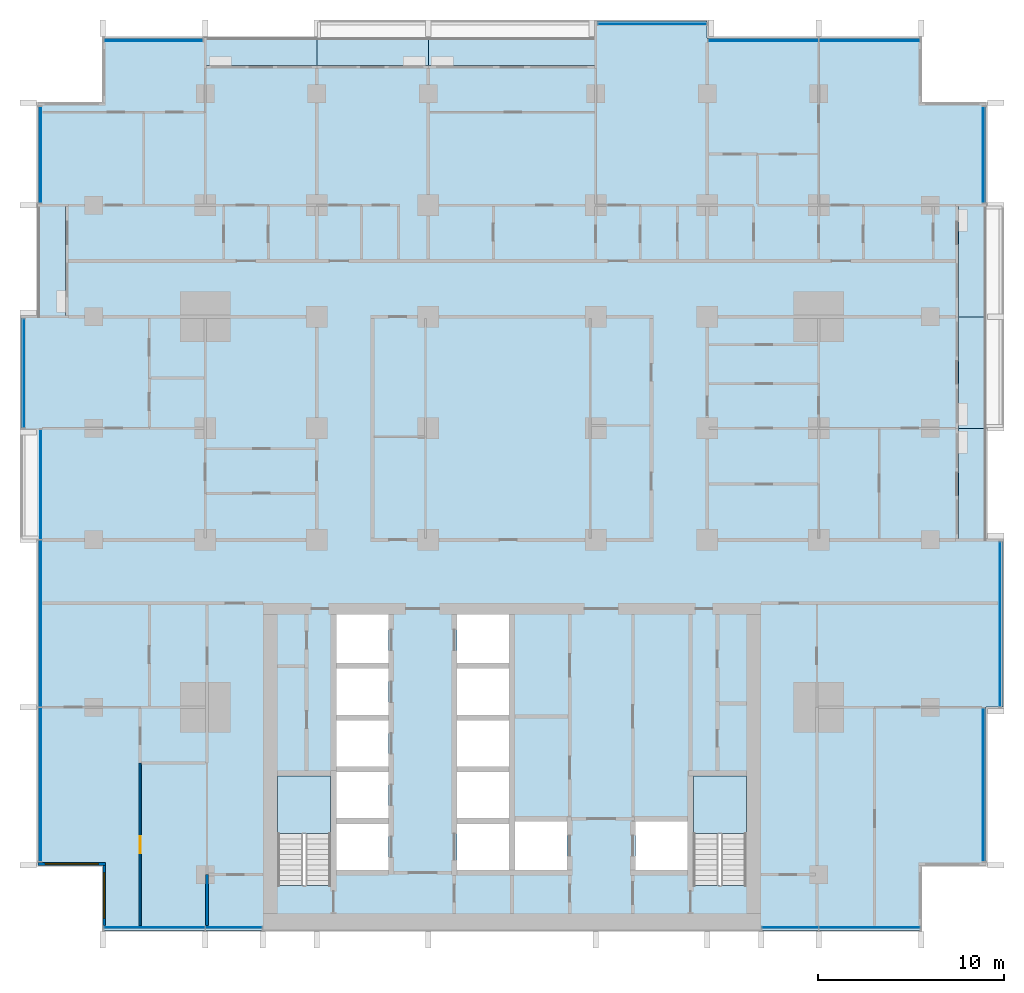
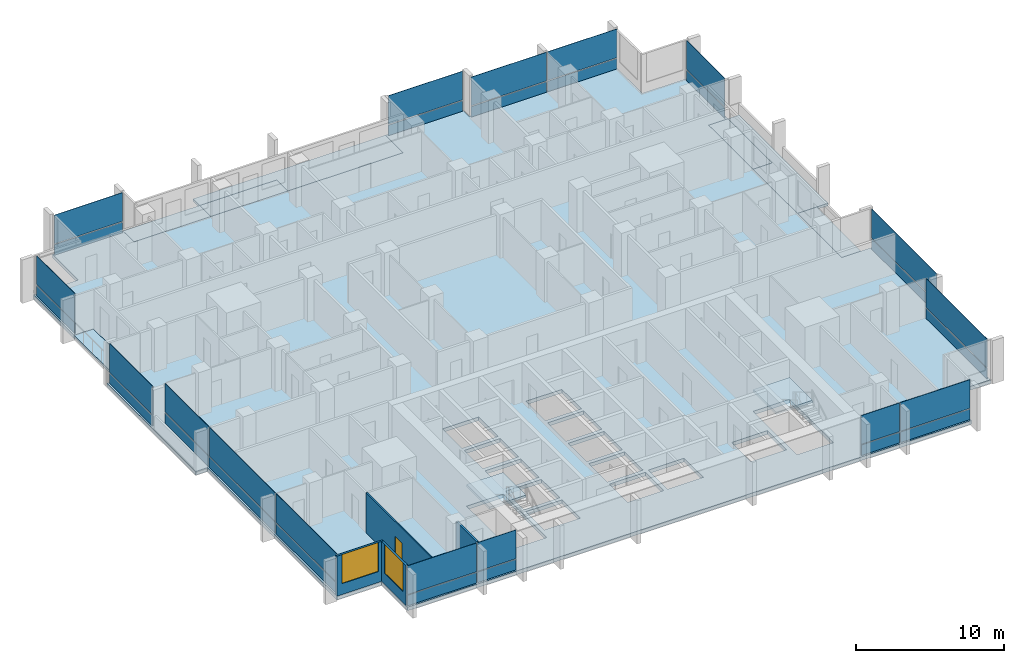
# One storey, part 6 of 18: 32 plates, 10 slabs, 4 walls, 2 windows, 1 door, 3 openings, 13 elements without a shape of their own.
"""IFC4 building model written with IfcOpenShell, lengths in metres."""

from ifc_helpers import new_model, si_unit, direction, frame, frame_2d, origin, origin_2d, place, context, subcontext, project, spatial, polyline, rectangle, outline, extrude, material, layer, layer_set, type_object, element, fill, aggregate, save


model = new_model("IFC4")

# Units and contexts
model_context = context("Model", 3, precision=1e-05, world=origin(), true_north=direction((0.0, 1.0)))
body_context = subcontext(model_context, "Body", "Model", "MODEL_VIEW")
ifc_project = project(units=[si_unit("LENGTHUNIT", "METRE"), si_unit("AREAUNIT", "SQUARE_METRE"), si_unit("VOLUMEUNIT", "CUBIC_METRE"), si_unit("PLANEANGLEUNIT", "RADIAN"), si_unit("MASSUNIT", "GRAM", prefix="KILO")], contexts=[model_context])

# Site, building, storey
site_placement = place(None, origin())
site = spatial("IfcSite", under=ifc_project, at=site_placement, CompositionType="ELEMENT")
building_placement = place(site_placement, origin())
building = spatial("IfcBuilding", under=site, at=building_placement, Name="Finial Court Residences", CompositionType="ELEMENT")
storey_placement = place(building_placement, frame((0.0, 0.0, 109.89990234375)))
storey = spatial("IfcBuildingStorey", under=building, at=storey_placement, Name="L27", CompositionType="ELEMENT", Elevation=109.89990234375)

# Slabs
ifc_material_1 = material(Name="Concrete C35/45", Category="concrete")
ifc_layer_1 = layer(ifc_material_1, 0.199951171875)
ifc_layer_set_1 = layer_set([ifc_layer_1], Name="Balcony slab, Concrete C35/45 200")
slab_type_1 = type_object("IfcSlabType", Name="Balcony slab, Concrete C35/45 200", PredefinedType="FLOOR", material=ifc_layer_set_1)
slab_1_placement = place(storey_placement, frame((0.0, 0.0, -0.199951171875)))
element("IfcSlab", 1, at=slab_1_placement, inside=storey, type_object=slab_type_1, Name="Balcony L27-N2", PredefinedType="FLOOR", context=body_context, shape_type="SweptSolid", body=[
    extrude(outline(polyline([(-10.5, 21.0), (-10.5, 22.5), (-16.5, 22.5), (-16.5, 21.0), (-10.5, 21.0)])), origin(), (0.0, 0.0, 1.0), 0.199951171875),
])
slab_2_placement = place(storey_placement, frame((0.0, 0.0, -0.199951171875)))
element("IfcSlab", 2, at=slab_2_placement, inside=storey, type_object=slab_type_1, Name="Balcony L27-N3", PredefinedType="FLOOR", context=body_context, shape_type="SweptSolid", body=[
    extrude(outline(polyline([(-4.5, 21.0), (-4.5, 22.5), (-10.5, 22.5), (-10.5, 21.0), (-4.5, 21.0)])), origin(), (0.0, 0.0, 1.0), 0.199951171875),
])
slab_3_placement = place(storey_placement, frame((0.0, 0.0, -0.199951171875)))
element("IfcSlab", 3, at=slab_3_placement, inside=storey, type_object=slab_type_1, Name="Balcony L27-N4", PredefinedType="FLOOR", context=body_context, shape_type="SweptSolid", body=[
    extrude(outline(polyline([(-4.5, 22.5), (-10.5, 22.5), (-10.5, 23.39990234375), (-4.5, 23.39990234375), (4.5, 23.39990234375), (4.5, 22.5), (4.5, 21.0), (-4.5, 21.0), (-4.5, 22.5)])), origin(), (0.0, 0.0, 1.0), 0.199951171875),
])
slab_4_placement = place(storey_placement, frame((0.0, 0.0, -0.199951171875)))
element("IfcSlab", 4, at=slab_4_placement, inside=storey, type_object=slab_type_1, Name="Balcony L27-E3", PredefinedType="FLOOR", context=body_context, shape_type="SweptSolid", body=[
    extrude(outline(polyline([(25.5, -4.5), (25.5, 1.5), (24.0, 1.5), (24.0, -4.5), (25.5, -4.5)])), origin(), (0.0, 0.0, 1.0), 0.199951171875),
])
slab_5_placement = place(storey_placement, frame((0.0, 0.0, -0.199951171875)))
element("IfcSlab", 5, at=slab_5_placement, inside=storey, type_object=slab_type_1, Name="Balcony L27-E4", PredefinedType="FLOOR", context=body_context, shape_type="SweptSolid", body=[
    extrude(outline(polyline([(24.0, 7.5), (25.5, 7.5), (25.5, 13.5), (26.39990234375, 13.5), (26.39990234375, 7.5), (26.39990234375, 1.5), (25.5, 1.5), (24.0, 1.5), (24.0, 7.5)])), origin(), (0.0, 0.0, 1.0), 0.199951171875),
])
slab_6_placement = place(storey_placement, frame((0.0, 0.0, -0.199951171875)))
element("IfcSlab", 6, at=slab_6_placement, inside=storey, type_object=slab_type_1, Name="Balcony L27-E5", PredefinedType="FLOOR", context=body_context, shape_type="SweptSolid", body=[
    extrude(outline(polyline([(25.5, 7.5), (25.5, 13.5), (24.0, 13.5), (24.0, 7.5), (25.5, 7.5)])), origin(), (0.0, 0.0, 1.0), 0.199951171875),
])
slab_7_placement = place(storey_placement, frame((0.0, 0.0, -0.199951171875)))
element("IfcSlab", 7, at=slab_7_placement, inside=storey, type_object=slab_type_1, Name="Balcony L27-W5", PredefinedType="FLOOR", context=body_context, shape_type="SweptSolid", body=[
    extrude(outline(polyline([(-24.0, 7.5), (-24.0, 13.5), (-25.5, 13.5), (-25.5, 7.5), (-24.0, 7.5)])), origin(), (0.0, 0.0, 1.0), 0.199951171875),
])

# Curtain wall, plate
ifc_material_2 = material(Name="Bronze anodised aluminium", Category="aluminium")
curtain_wall_type = type_object("IfcCurtainWallType", Name="Unitised curtain wall, lower and middle zones", PredefinedType="NOTDEFINED", material=ifc_material_2)
curtain_wall_1_placement = place(storey_placement, origin())
curtain_wall_1 = element("IfcCurtainWall", 8, at=curtain_wall_1_placement, inside=storey, type_object=curtain_wall_type, Name="E-L27-CW-N1", PredefinedType="NOTDEFINED")
ifc_layer_2 = layer(ifc_material_2, 0.0400390625)
ifc_layer_set_2 = layer_set([ifc_layer_2], Name="CW1 spandrel panel 40")
plate_type_1 = type_object("IfcPlateType", Name="CW1 spandrel panel 40", PredefinedType="CURTAIN_PANEL", material=ifc_layer_set_2)
plate_1_placement = place(storey_placement, frame((-19.28759765625, 22.35009765625, 0.0), z_axis=(0.0, 0.0, 1.0), x_axis=(1.0, 0.0, 0.0)))
plate_1 = element("IfcPlate", 9, at=plate_1_placement, type_object=plate_type_1, Name="CW1 spandrel 1.1", PredefinedType="CURTAIN_PANEL", context=body_context, shape_type="SweptSolid", body=[
    extrude(rectangle(XDim=5.294921875, YDim=0.0400390625, at=origin_2d()), origin(), (0.0, 0.0, 1.0), 0.867431640625),
])

curtain_wall_2_placement = place(storey_placement, origin())
curtain_wall_2 = element("IfcCurtainWall", 10, at=curtain_wall_2_placement, inside=storey, type_object=curtain_wall_type, Name="E-L27-CW-N2", PredefinedType="NOTDEFINED")
plate_2_placement = place(storey_placement, frame((7.53759765625, 23.25, 0.0), z_axis=(0.0, 0.0, 1.0), x_axis=(1.0, 0.0, 0.0)))
plate_2 = element("IfcPlate", 11, at=plate_2_placement, type_object=plate_type_1, Name="CW1 spandrel 1.1", PredefinedType="CURTAIN_PANEL", context=body_context, shape_type="SweptSolid", body=[
    extrude(rectangle(XDim=5.794921875, YDim=0.0400390625, at=origin_2d()), origin(), (0.0, 0.0, 1.0), 0.867431640625),
])

# Curtain wall, plates
curtain_wall_3_placement = place(storey_placement, origin())
curtain_wall_3 = element("IfcCurtainWall", 12, at=curtain_wall_3_placement, inside=storey, type_object=curtain_wall_type, Name="E-L27-CW-N3", PredefinedType="NOTDEFINED")
plate_3_placement = place(storey_placement, frame((13.516357421875, 22.35009765625, 0.0), z_axis=(0.0, 0.0, 1.0), x_axis=(1.0, 0.0, 0.0)))
plate_3 = element("IfcPlate", 13, at=plate_3_placement, type_object=plate_type_1, Name="CW1 spandrel 1.1", PredefinedType="CURTAIN_PANEL", context=body_context, shape_type="SweptSolid", body=[
    extrude(rectangle(XDim=5.902587890625, YDim=0.0400390625, at=origin_2d()), origin(), (0.0, 0.0, 1.0), 0.867431640625),
])
plate_4_placement = place(storey_placement, frame((19.23388671875, 22.35009765625, 0.0), z_axis=(0.0, 0.0, 1.0), x_axis=(1.0, 0.0, 0.0)))
plate_4 = element("IfcPlate", 14, at=plate_4_placement, type_object=plate_type_1, Name="CW1 spandrel 2.1", PredefinedType="CURTAIN_PANEL", context=body_context, shape_type="SweptSolid", body=[
    extrude(rectangle(XDim=5.402587890625, YDim=0.0400390625, at=origin_2d()), origin(), (0.0, 0.0, 1.0), 0.867431640625),
])

# Curtain wall, plate
curtain_wall_4_placement = place(storey_placement, origin())
curtain_wall_4 = element("IfcCurtainWall", 15, at=curtain_wall_4_placement, inside=storey, type_object=curtain_wall_type, Name="E-L27-CW-E4", PredefinedType="NOTDEFINED")
plate_5_placement = place(storey_placement, frame((25.35009765625, -17.675048828125, 0.0), z_axis=(0.0, 0.0, 1.0), x_axis=(0.0, 1.0, 0.0)))
plate_5 = element("IfcPlate", 16, at=plate_5_placement, type_object=plate_type_1, Name="CW1 spandrel 1.1", PredefinedType="CURTAIN_PANEL", context=body_context, shape_type="SweptSolid", body=[
    extrude(rectangle(XDim=8.219970703125, YDim=0.0400390625, at=origin_2d()), origin(), (0.0, 0.0, 1.0), 0.867431640625),
])

curtain_wall_5_placement = place(storey_placement, origin())
curtain_wall_5 = element("IfcCurtainWall", 17, at=curtain_wall_5_placement, inside=storey, type_object=curtain_wall_type, Name="E-L27-CW-E5", PredefinedType="NOTDEFINED")
plate_6_placement = place(storey_placement, frame((26.25, -9.03759765625, 0.0), z_axis=(0.0, 0.0, 1.0), x_axis=(0.0, 1.0, 0.0)))
plate_6 = element("IfcPlate", 18, at=plate_6_placement, type_object=plate_type_1, Name="CW1 spandrel 1.1", PredefinedType="CURTAIN_PANEL", context=body_context, shape_type="SweptSolid", body=[
    extrude(rectangle(XDim=8.794921875, YDim=0.0400390625, at=origin_2d()), origin(), (0.0, 0.0, 1.0), 0.867431640625),
])

curtain_wall_6_placement = place(storey_placement, origin())
curtain_wall_6 = element("IfcCurtainWall", 19, at=curtain_wall_6_placement, inside=storey, type_object=curtain_wall_type, Name="E-L27-CW-E6", PredefinedType="NOTDEFINED")
plate_7_placement = place(storey_placement, frame((25.35009765625, 16.21240234375, 0.0), z_axis=(0.0, 0.0, 1.0), x_axis=(0.0, 1.0, 0.0)))
plate_7 = element("IfcPlate", 20, at=plate_7_placement, type_object=plate_type_1, Name="CW1 spandrel 1.1", PredefinedType="CURTAIN_PANEL", context=body_context, shape_type="SweptSolid", body=[
    extrude(rectangle(XDim=5.14501953125, YDim=0.0400390625, at=origin_2d()), origin(), (0.0, 0.0, 1.0), 0.867431640625),
])

# Curtain wall, plates
curtain_wall_7_placement = place(storey_placement, origin())
curtain_wall_7 = element("IfcCurtainWall", 21, at=curtain_wall_7_placement, inside=storey, type_object=curtain_wall_type, Name="E-L27-CW-S7", PredefinedType="NOTDEFINED")
plate_8_placement = place(storey_placement, frame((-19.23388671875, -25.35009765625, 0.0), z_axis=(0.0, 0.0, 1.0), x_axis=(1.0, 0.0, 0.0)))
plate_8 = element("IfcPlate", 22, at=plate_8_placement, type_object=plate_type_1, Name="CW1 spandrel 1.1", PredefinedType="CURTAIN_PANEL", context=body_context, shape_type="SweptSolid", body=[
    extrude(rectangle(XDim=5.402587890625, YDim=0.0400390625, at=origin_2d()), origin(), (0.0, 0.0, 1.0), 0.867431640625),
])
plate_9_placement = place(storey_placement, frame((-14.96630859375, -25.35009765625, 0.0), z_axis=(0.0, 0.0, 1.0), x_axis=(1.0, 0.0, 0.0)))
plate_9 = element("IfcPlate", 23, at=plate_9_placement, type_object=plate_type_1, Name="CW1 spandrel 2.1", PredefinedType="CURTAIN_PANEL", context=body_context, shape_type="SweptSolid", body=[
    extrude(rectangle(XDim=3.00244140625, YDim=0.0400390625, at=origin_2d()), origin(), (0.0, 0.0, 1.0), 0.867431640625),
])

curtain_wall_8_placement = place(storey_placement, origin())
curtain_wall_8 = element("IfcCurtainWall", 24, at=curtain_wall_8_placement, inside=storey, type_object=curtain_wall_type, Name="E-L27-CW-S8", PredefinedType="NOTDEFINED")
plate_10_placement = place(storey_placement, frame((14.96630859375, -25.35009765625, 0.0), z_axis=(0.0, 0.0, 1.0), x_axis=(1.0, 0.0, 0.0)))
plate_10 = element("IfcPlate", 25, at=plate_10_placement, type_object=plate_type_1, Name="CW1 spandrel 1.1", PredefinedType="CURTAIN_PANEL", context=body_context, shape_type="SweptSolid", body=[
    extrude(rectangle(XDim=3.00244140625, YDim=0.0400390625, at=origin_2d()), origin(), (0.0, 0.0, 1.0), 0.867431640625),
])
plate_11_placement = place(storey_placement, frame((19.23388671875, -25.35009765625, 0.0), z_axis=(0.0, 0.0, 1.0), x_axis=(1.0, 0.0, 0.0)))
plate_11 = element("IfcPlate", 26, at=plate_11_placement, type_object=plate_type_1, Name="CW1 spandrel 2.1", PredefinedType="CURTAIN_PANEL", context=body_context, shape_type="SweptSolid", body=[
    extrude(rectangle(XDim=5.402587890625, YDim=0.0400390625, at=origin_2d()), origin(), (0.0, 0.0, 1.0), 0.867431640625),
])

curtain_wall_9_placement = place(storey_placement, origin())
curtain_wall_9 = element("IfcCurtainWall", 27, at=curtain_wall_9_placement, inside=storey, type_object=curtain_wall_type, Name="E-L27-CW-W9", PredefinedType="NOTDEFINED")
plate_12_placement = place(storey_placement, frame((-25.35009765625, -17.65869140625, 0.0), z_axis=(0.0, 0.0, 1.0), x_axis=(0.0, 1.0, 0.0)))
plate_12 = element("IfcPlate", 28, at=plate_12_placement, type_object=plate_type_1, Name="CW1 spandrel 1.1", PredefinedType="CURTAIN_PANEL", context=body_context, shape_type="SweptSolid", body=[
    extrude(rectangle(XDim=8.25244140625, YDim=0.0400390625, at=origin_2d()), origin(), (0.0, 0.0, 1.0), 0.867431640625),
])
plate_13_placement = place(storey_placement, frame((-25.35009765625, -9.0, 0.0), z_axis=(0.0, 0.0, 1.0), x_axis=(0.0, 1.0, 0.0)))
plate_13 = element("IfcPlate", 29, at=plate_13_placement, type_object=plate_type_1, Name="CW1 spandrel 2.1", PredefinedType="CURTAIN_PANEL", context=body_context, shape_type="SweptSolid", body=[
    extrude(rectangle(XDim=8.93505859375, YDim=0.0400390625, at=origin_2d()), origin(), (0.0, 0.0, 1.0), 0.867431640625),
])
plate_14_placement = place(storey_placement, frame((-25.35009765625, -1.516357421875, 0.0), z_axis=(0.0, 0.0, 1.0), x_axis=(0.0, 1.0, 0.0)))
plate_14 = element("IfcPlate", 30, at=plate_14_placement, type_object=plate_type_1, Name="CW1 spandrel 3.1", PredefinedType="CURTAIN_PANEL", context=body_context, shape_type="SweptSolid", body=[
    extrude(rectangle(XDim=5.902587890625, YDim=0.0400390625, at=origin_2d()), origin(), (0.0, 0.0, 1.0), 0.867431640625),
])

# Curtain wall, plate
curtain_wall_10_placement = place(storey_placement, origin())
curtain_wall_10 = element("IfcCurtainWall", 31, at=curtain_wall_10_placement, inside=storey, type_object=curtain_wall_type, Name="E-L27-CW-W10", PredefinedType="NOTDEFINED")
plate_15_placement = place(storey_placement, frame((-26.25, 4.46240234375, 0.0), z_axis=(0.0, 0.0, 1.0), x_axis=(0.0, 1.0, 0.0)))
plate_15 = element("IfcPlate", 32, at=plate_15_placement, type_object=plate_type_1, Name="CW1 spandrel 1.1", PredefinedType="CURTAIN_PANEL", context=body_context, shape_type="SweptSolid", body=[
    extrude(rectangle(XDim=5.794921875, YDim=0.0400390625, at=origin_2d()), origin(), (0.0, 0.0, 1.0), 0.867431640625),
])

curtain_wall_11_placement = place(storey_placement, origin())
curtain_wall_11 = element("IfcCurtainWall", 33, at=curtain_wall_11_placement, inside=storey, type_object=curtain_wall_type, Name="E-L27-CW-W11", PredefinedType="NOTDEFINED")
plate_16_placement = place(storey_placement, frame((-25.35009765625, 16.21240234375, 0.0), z_axis=(0.0, 0.0, 1.0), x_axis=(0.0, 1.0, 0.0)))
plate_16 = element("IfcPlate", 34, at=plate_16_placement, type_object=plate_type_1, Name="CW1 spandrel 1.1", PredefinedType="CURTAIN_PANEL", context=body_context, shape_type="SweptSolid", body=[
    extrude(rectangle(XDim=5.14501953125, YDim=0.0400390625, at=origin_2d()), origin(), (0.0, 0.0, 1.0), 0.867431640625),
])

# Plate
ifc_material_3 = material(Name="Clear low-e glass", Category="glass")
ifc_layer_3 = layer(ifc_material_3, 0.031982421875)
ifc_layer_set_3 = layer_set([ifc_layer_3], Name="CW1 vision glass 32")
plate_type_2 = type_object("IfcPlateType", Name="CW1 vision glass 32", PredefinedType="CURTAIN_PANEL", material=ifc_layer_set_3)
plate_17_placement = place(storey_placement, frame((-19.28759765625, 22.35009765625, 0.9326171875), z_axis=(0.0, 0.0, 1.0), x_axis=(1.0, 0.0, 0.0)))
plate_17 = element("IfcPlate", 35, at=plate_17_placement, type_object=plate_type_2, Name="CW1 glass 1.2", PredefinedType="CURTAIN_PANEL", context=body_context, shape_type="SweptSolid", body=[
    extrude(rectangle(XDim=5.294921875, YDim=0.031982421875, at=origin_2d()), origin(), (0.0, 0.0, 1.0), 2.367431640625),
])

aggregate(curtain_wall_1, [plate_1, plate_17])

plate_18_placement = place(storey_placement, frame((7.53759765625, 23.25, 0.9326171875), z_axis=(0.0, 0.0, 1.0), x_axis=(1.0, 0.0, 0.0)))
plate_18 = element("IfcPlate", 36, at=plate_18_placement, type_object=plate_type_2, Name="CW1 glass 1.2", PredefinedType="CURTAIN_PANEL", context=body_context, shape_type="SweptSolid", body=[
    extrude(rectangle(XDim=5.794921875, YDim=0.031982421875, at=origin_2d()), origin(), (0.0, 0.0, 1.0), 2.367431640625),
])

aggregate(curtain_wall_2, [plate_2, plate_18])

plate_19_placement = place(storey_placement, frame((13.516357421875, 22.35009765625, 0.9326171875), z_axis=(0.0, 0.0, 1.0), x_axis=(1.0, 0.0, 0.0)))
plate_19 = element("IfcPlate", 37, at=plate_19_placement, type_object=plate_type_2, Name="CW1 glass 1.2", PredefinedType="CURTAIN_PANEL", context=body_context, shape_type="SweptSolid", body=[
    extrude(rectangle(XDim=5.902587890625, YDim=0.031982421875, at=origin_2d()), origin(), (0.0, 0.0, 1.0), 2.367431640625),
])

plate_20_placement = place(storey_placement, frame((19.23388671875, 22.35009765625, 0.9326171875), z_axis=(0.0, 0.0, 1.0), x_axis=(1.0, 0.0, 0.0)))
plate_20 = element("IfcPlate", 38, at=plate_20_placement, type_object=plate_type_2, Name="CW1 glass 2.2", PredefinedType="CURTAIN_PANEL", context=body_context, shape_type="SweptSolid", body=[
    extrude(rectangle(XDim=5.402587890625, YDim=0.031982421875, at=origin_2d()), origin(), (0.0, 0.0, 1.0), 2.367431640625),
])

aggregate(curtain_wall_3, [plate_3, plate_19, plate_4, plate_20])

plate_21_placement = place(storey_placement, frame((25.35009765625, -17.675048828125, 0.9326171875), z_axis=(0.0, 0.0, 1.0), x_axis=(0.0, 1.0, 0.0)))
plate_21 = element("IfcPlate", 39, at=plate_21_placement, type_object=plate_type_2, Name="CW1 glass 1.2", PredefinedType="CURTAIN_PANEL", context=body_context, shape_type="SweptSolid", body=[
    extrude(rectangle(XDim=8.219970703125, YDim=0.031982421875, at=origin_2d()), origin(), (0.0, 0.0, 1.0), 2.367431640625),
])

aggregate(curtain_wall_4, [plate_5, plate_21])

plate_22_placement = place(storey_placement, frame((26.25, -9.03759765625, 0.9326171875), z_axis=(0.0, 0.0, 1.0), x_axis=(0.0, 1.0, 0.0)))
plate_22 = element("IfcPlate", 40, at=plate_22_placement, type_object=plate_type_2, Name="CW1 glass 1.2", PredefinedType="CURTAIN_PANEL", context=body_context, shape_type="SweptSolid", body=[
    extrude(rectangle(XDim=8.794921875, YDim=0.031982421875, at=origin_2d()), origin(), (0.0, 0.0, 1.0), 2.367431640625),
])

aggregate(curtain_wall_5, [plate_6, plate_22])

plate_23_placement = place(storey_placement, frame((25.35009765625, 16.21240234375, 0.9326171875), z_axis=(0.0, 0.0, 1.0), x_axis=(0.0, 1.0, 0.0)))
plate_23 = element("IfcPlate", 41, at=plate_23_placement, type_object=plate_type_2, Name="CW1 glass 1.2", PredefinedType="CURTAIN_PANEL", context=body_context, shape_type="SweptSolid", body=[
    extrude(rectangle(XDim=5.14501953125, YDim=0.031982421875, at=origin_2d()), origin(), (0.0, 0.0, 1.0), 2.367431640625),
])

aggregate(curtain_wall_6, [plate_7, plate_23])

plate_24_placement = place(storey_placement, frame((-19.23388671875, -25.35009765625, 0.9326171875), z_axis=(0.0, 0.0, 1.0), x_axis=(1.0, 0.0, 0.0)))
plate_24 = element("IfcPlate", 42, at=plate_24_placement, type_object=plate_type_2, Name="CW1 glass 1.2", PredefinedType="CURTAIN_PANEL", context=body_context, shape_type="SweptSolid", body=[
    extrude(rectangle(XDim=5.402587890625, YDim=0.031982421875, at=origin_2d()), origin(), (0.0, 0.0, 1.0), 2.367431640625),
])

plate_25_placement = place(storey_placement, frame((-14.96630859375, -25.35009765625, 0.9326171875), z_axis=(0.0, 0.0, 1.0), x_axis=(1.0, 0.0, 0.0)))
plate_25 = element("IfcPlate", 43, at=plate_25_placement, type_object=plate_type_2, Name="CW1 glass 2.2", PredefinedType="CURTAIN_PANEL", context=body_context, shape_type="SweptSolid", body=[
    extrude(rectangle(XDim=3.00244140625, YDim=0.031982421875, at=origin_2d()), origin(), (0.0, 0.0, 1.0), 2.367431640625),
])

aggregate(curtain_wall_7, [plate_8, plate_24, plate_9, plate_25])

plate_26_placement = place(storey_placement, frame((14.96630859375, -25.35009765625, 0.9326171875), z_axis=(0.0, 0.0, 1.0), x_axis=(1.0, 0.0, 0.0)))
plate_26 = element("IfcPlate", 44, at=plate_26_placement, type_object=plate_type_2, Name="CW1 glass 1.2", PredefinedType="CURTAIN_PANEL", context=body_context, shape_type="SweptSolid", body=[
    extrude(rectangle(XDim=3.00244140625, YDim=0.031982421875, at=origin_2d()), origin(), (0.0, 0.0, 1.0), 2.367431640625),
])

plate_27_placement = place(storey_placement, frame((19.23388671875, -25.35009765625, 0.9326171875), z_axis=(0.0, 0.0, 1.0), x_axis=(1.0, 0.0, 0.0)))
plate_27 = element("IfcPlate", 45, at=plate_27_placement, type_object=plate_type_2, Name="CW1 glass 2.2", PredefinedType="CURTAIN_PANEL", context=body_context, shape_type="SweptSolid", body=[
    extrude(rectangle(XDim=5.402587890625, YDim=0.031982421875, at=origin_2d()), origin(), (0.0, 0.0, 1.0), 2.367431640625),
])

aggregate(curtain_wall_8, [plate_10, plate_26, plate_11, plate_27])

plate_28_placement = place(storey_placement, frame((-25.35009765625, -17.65869140625, 0.9326171875), z_axis=(0.0, 0.0, 1.0), x_axis=(0.0, 1.0, 0.0)))
plate_28 = element("IfcPlate", 46, at=plate_28_placement, type_object=plate_type_2, Name="CW1 glass 1.2", PredefinedType="CURTAIN_PANEL", context=body_context, shape_type="SweptSolid", body=[
    extrude(rectangle(XDim=8.25244140625, YDim=0.031982421875, at=origin_2d()), origin(), (0.0, 0.0, 1.0), 2.367431640625),
])

plate_29_placement = place(storey_placement, frame((-25.35009765625, -9.0, 0.9326171875), z_axis=(0.0, 0.0, 1.0), x_axis=(0.0, 1.0, 0.0)))
plate_29 = element("IfcPlate", 47, at=plate_29_placement, type_object=plate_type_2, Name="CW1 glass 2.2", PredefinedType="CURTAIN_PANEL", context=body_context, shape_type="SweptSolid", body=[
    extrude(rectangle(XDim=8.93505859375, YDim=0.031982421875, at=origin_2d()), origin(), (0.0, 0.0, 1.0), 2.367431640625),
])

plate_30_placement = place(storey_placement, frame((-25.35009765625, -1.516357421875, 0.9326171875), z_axis=(0.0, 0.0, 1.0), x_axis=(0.0, 1.0, 0.0)))
plate_30 = element("IfcPlate", 48, at=plate_30_placement, type_object=plate_type_2, Name="CW1 glass 3.2", PredefinedType="CURTAIN_PANEL", context=body_context, shape_type="SweptSolid", body=[
    extrude(rectangle(XDim=5.902587890625, YDim=0.031982421875, at=origin_2d()), origin(), (0.0, 0.0, 1.0), 2.367431640625),
])

aggregate(curtain_wall_9, [plate_12, plate_28, plate_13, plate_29, plate_14, plate_30])

plate_31_placement = place(storey_placement, frame((-26.25, 4.46240234375, 0.9326171875), z_axis=(0.0, 0.0, 1.0), x_axis=(0.0, 1.0, 0.0)))
plate_31 = element("IfcPlate", 49, at=plate_31_placement, type_object=plate_type_2, Name="CW1 glass 1.2", PredefinedType="CURTAIN_PANEL", context=body_context, shape_type="SweptSolid", body=[
    extrude(rectangle(XDim=5.794921875, YDim=0.031982421875, at=origin_2d()), origin(), (0.0, 0.0, 1.0), 2.367431640625),
])

aggregate(curtain_wall_10, [plate_15, plate_31])

plate_32_placement = place(storey_placement, frame((-25.35009765625, 16.21240234375, 0.9326171875), z_axis=(0.0, 0.0, 1.0), x_axis=(0.0, 1.0, 0.0)))
plate_32 = element("IfcPlate", 50, at=plate_32_placement, type_object=plate_type_2, Name="CW1 glass 1.2", PredefinedType="CURTAIN_PANEL", context=body_context, shape_type="SweptSolid", body=[
    extrude(rectangle(XDim=5.14501953125, YDim=0.031982421875, at=origin_2d()), origin(), (0.0, 0.0, 1.0), 2.367431640625),
])

aggregate(curtain_wall_11, [plate_16, plate_32])

# Stair, slab
ifc_material_4 = material(Name="Concrete C50/60", Category="concrete")
stair_type = type_object("IfcStairType", Name="Exit stair 22 risers of 163.6 mm", PredefinedType="HALF_TURN_STAIR", material=ifc_material_4)
stair_1_placement = place(storey_placement, origin())
stair_1 = element("IfcStair", 51, at=stair_1_placement, inside=storey, type_object=stair_type, Name="L27 Exit stair ST-1", PredefinedType="HALF_TURN_STAIR")
ifc_layer_4 = layer(ifc_material_4, 0.199951171875)
ifc_layer_set_4 = layer_set([ifc_layer_4], Name="Exit stair landing")
slab_type_2 = type_object("IfcSlabType", Name="Exit stair landing", PredefinedType="LANDING", material=ifc_layer_set_4)
slab_8_placement = place(storey_placement, frame((0.0, 0.0, 1.60009765625)))
slab_8 = element("IfcSlab", 52, at=slab_8_placement, type_object=slab_type_2, Name="ST-1 landing 1", PredefinedType="LANDING", context=body_context, shape_type="SweptSolid", body=[
    extrude(outline(polyline([(-9.75, -20.300048828125), (-9.75, -17.199951171875), (-12.60009765625, -17.199951171875), (-12.60009765625, -20.300048828125), (-9.75, -20.300048828125)])), origin(), (0.0, 0.0, 1.0), 0.199951171875),
])
aggregate(stair_1, [slab_8])

stair_2_placement = place(storey_placement, origin())
stair_2 = element("IfcStair", 53, at=stair_2_placement, inside=storey, type_object=stair_type, Name="L27 Exit stair ST-2", PredefinedType="HALF_TURN_STAIR")
slab_9_placement = place(storey_placement, frame((0.0, 0.0, 1.60009765625)))
slab_9 = element("IfcSlab", 54, at=slab_9_placement, type_object=slab_type_2, Name="ST-2 landing 1", PredefinedType="LANDING", context=body_context, shape_type="SweptSolid", body=[
    extrude(outline(polyline([(12.60009765625, -20.300048828125), (12.60009765625, -17.199951171875), (9.75, -17.199951171875), (9.75, -20.300048828125), (12.60009765625, -20.300048828125)])), origin(), (0.0, 0.0, 1.0), 0.199951171875),
])
aggregate(stair_2, [slab_9])

# Slab
ifc_material_5 = material(Name="Concrete C40/50", Category="concrete")
ifc_layer_5 = layer(ifc_material_5, 0.300048828125)
ifc_layer_set_5 = layer_set([ifc_layer_5], Name="Flat plate slab 300 Concrete C40/50")
slab_type_3 = type_object("IfcSlabType", Name="Flat plate slab 300 Concrete C40/50", PredefinedType="FLOOR", material=ifc_layer_set_5)
slab_10_placement = place(storey_placement, frame((0.0, 0.0, -0.2998046875)))
element("IfcSlab", 55, at=slab_10_placement, inside=storey, type_object=slab_type_3, Name="S:SLAB:L27", PredefinedType="FLOOR", context=body_context, shape_type="SweptSolid", body=[
    extrude(outline(polyline([(-26.39990234375, -4.5), (-26.39990234375, 1.5), (-26.39990234375, 7.5), (-25.5, 7.5), (-24.0, 7.5), (-24.0, 13.5), (-25.5, 13.5), (-25.5, 19.0), (-22.0, 19.0), (-22.0, 22.5), (-16.5, 22.5), (-16.5, 21.0), (-10.5, 21.0), (-4.5, 21.0), (4.5, 21.0), (4.5, 22.5), (4.5, 23.39990234375), (10.5, 23.39990234375), (10.5, 22.5), (22.0, 22.5), (22.0, 19.0), (25.5, 19.0), (25.5, 13.5), (24.0, 13.5), (24.0, 7.5), (24.0, 1.5), (24.0, -4.5), (25.5, -4.5), (26.39990234375, -4.5), (26.39990234375, -13.5), (25.5, -13.5), (25.5, -22.0), (22.0, -22.0), (22.0, -25.5), (-22.0, -25.5), (-22.0, -22.0), (-25.5, -22.0), (-25.5, -4.5), (-26.39990234375, -4.5)]), holes=[polyline([(-6.64990234375, -19.77001953125), (-9.449951171875, -19.77001953125), (-9.449951171875, -22.25), (-6.64990234375, -22.25), (-6.64990234375, -19.77001953125)]), polyline([(-9.75, -17.199951171875), (-12.60009765625, -17.199951171875), (-12.60009765625, -23.09912109375), (-9.75, -23.09912109375), (-9.75, -17.199951171875)]), polyline([(-6.64990234375, -19.469970703125), (-6.64990234375, -16.989990234375), (-9.449951171875, -16.989990234375), (-9.449951171875, -19.469970703125), (-6.64990234375, -19.469970703125)]), polyline([(-6.64990234375, -16.68994140625), (-6.64990234375, -14.2099609375), (-9.449951171875, -14.2099609375), (-9.449951171875, -16.68994140625), (-6.64990234375, -16.68994140625)]), polyline([(-6.64990234375, -13.909912109375), (-6.64990234375, -11.429931640625), (-9.449951171875, -11.429931640625), (-9.449951171875, -13.909912109375), (-6.64990234375, -13.909912109375)]), polyline([(-6.64990234375, -11.1298828125), (-6.64990234375, -8.5), (-9.449951171875, -8.5), (-9.449951171875, -11.1298828125), (-6.64990234375, -11.1298828125)]), polyline([(-0.14990234375, -11.1298828125), (-0.14990234375, -8.5), (-2.949951171875, -8.5), (-2.949951171875, -11.1298828125), (-0.14990234375, -11.1298828125)]), polyline([(-0.14990234375, -19.77001953125), (-2.949951171875, -19.77001953125), (-2.949951171875, -22.25), (-0.14990234375, -22.25), (-0.14990234375, -19.77001953125)]), polyline([(2.949951171875, -22.25), (2.949951171875, -19.64990234375), (0.14990234375, -19.64990234375), (0.14990234375, -22.25), (2.949951171875, -22.25)]), polyline([(9.449951171875, -22.25), (9.449951171875, -19.64990234375), (6.64990234375, -19.64990234375), (6.64990234375, -22.25), (9.449951171875, -22.25)]), polyline([(12.60009765625, -17.199951171875), (9.75, -17.199951171875), (9.75, -23.09912109375), (12.60009765625, -23.09912109375), (12.60009765625, -17.199951171875)]), polyline([(-0.14990234375, -19.469970703125), (-0.14990234375, -16.989990234375), (-2.949951171875, -16.989990234375), (-2.949951171875, -19.469970703125), (-0.14990234375, -19.469970703125)]), polyline([(-0.14990234375, -16.68994140625), (-0.14990234375, -14.2099609375), (-2.949951171875, -14.2099609375), (-2.949951171875, -16.68994140625), (-0.14990234375, -16.68994140625)]), polyline([(-0.14990234375, -13.909912109375), (-0.14990234375, -11.429931640625), (-2.949951171875, -11.429931640625), (-2.949951171875, -13.909912109375), (-0.14990234375, -13.909912109375)])]), origin(), (0.0, 0.0, 1.0), 0.2998046875),
])

# Wall, opening, door
ifc_material_6 = material(Name="Gypsum board")
ifc_layer_6 = layer(ifc_material_6, 0.012451171875)
ifc_material_7 = material(Name="Mineral wool in light-gauge frame")
ifc_layer_7 = layer(ifc_material_7, 0.074951171875)
ifc_layer_8 = layer(ifc_material_6, 0.012451171875)
ifc_layer_set_6 = layer_set([ifc_layer_6, ifc_layer_7, ifc_layer_8], Name="Gypsum board partition 100")
wall_type_1 = type_object("IfcWallType", Name="Gypsum board partition 100", PredefinedType="PARTITIONING", material=ifc_layer_set_6)
wall_1_placement = place(storey_placement, frame((-20.0, -25.25, 0.0), z_axis=(0.0, 0.0, 1.0), x_axis=(0.0, 1.0, 0.0)))
wall_1 = element("IfcWall", 56, at=wall_1_placement, inside=storey, type_object=wall_type_1, Name="Partition L27-044", PredefinedType="PARTITIONING", context=body_context, shape_type="SweptSolid", body=[
    extrude(rectangle(XDim=8.75, YDim=0.10009765625, at=frame_2d((4.375, 0.0))), origin(), (0.0, 0.0, 1.0), 3.300048828125),
])
opening_1_placement = place(wall_1_placement, frame((3.89990234375, 0.0, 0.0)))
opening_1 = element("IfcOpeningElement", 57, at=opening_1_placement, cuts=wall_1, Name="Opening L27-D034", PredefinedType="OPENING", context=body_context, shape_type="SweptSolid", body=[
    extrude(rectangle(XDim=0.89990234375, YDim=2.10009765625, at=frame_2d((0.449951171875, 1.050048828125))), frame((0.0, 0.06005859375, 0.0), z_axis=(0.0, -1.0, 0.0), x_axis=(1.0, 0.0, 0.0)), (0.0, 0.0, 1.0), 0.1201171875),
])
ifc_material_8 = material(Name="Timber door leaf in timber frame", Category="wood")
door_type = type_object("IfcDoorType", Name="Door set 900 x 2100", OperationType="SINGLE_SWING_LEFT", PredefinedType="DOOR", material=ifc_material_8)
door_placement = place(opening_1_placement, origin())
door = element("IfcDoor", 58, at=door_placement, inside=storey, type_object=door_type, Name="Door L27-D034", OperationType="SINGLE_SWING_RIGHT", OverallHeight=2.10009765625, OverallWidth=0.89990234375, PredefinedType="DOOR", context=body_context, shape_type="SweptSolid", body=[
    extrude(rectangle(XDim=0.89990234375, YDim=2.10009765625, at=frame_2d((0.449951171875, 1.050048828125))), frame((0.0, 0.02490234375, 0.0), z_axis=(0.0, -1.0, 0.0), x_axis=(1.0, 0.0, 0.0)), (0.0, 0.0, 1.0), 0.050048828125),
])
fill(opening_1, door)

# Wall
ifc_material_9 = material(Name="Moisture-resistant gypsum board")
ifc_layer_9 = layer(ifc_material_9, 0.012451171875)
ifc_layer_10 = layer(ifc_material_7, 0.125)
ifc_layer_11 = layer(ifc_material_9, 0.012451171875)
ifc_layer_set_7 = layer_set([ifc_layer_9, ifc_layer_10, ifc_layer_11], Name="Gypsum board wet-area partition 150")
wall_type_2 = type_object("IfcWallType", Name="Gypsum board wet-area partition 150", PredefinedType="PARTITIONING", material=ifc_layer_set_7)
wall_2_placement = place(storey_placement, frame((-16.39990234375, -25.25, 0.0), z_axis=(0.0, 0.0, 1.0), x_axis=(0.0, 1.0, 0.0)))
element("IfcWall", 59, at=wall_2_placement, inside=storey, type_object=wall_type_2, Name="Partition L27-056", PredefinedType="PARTITIONING", context=body_context, shape_type="SweptSolid", body=[
    extrude(rectangle(XDim=2.75, YDim=0.14990234375, at=frame_2d((1.375, 0.0))), origin(), (0.0, 0.0, 1.0), 3.300048828125),
])

# Wall, opening, window
ifc_material_10 = material(Name="Natural limestone", Category="masonry")
ifc_layer_12 = layer(ifc_material_10, 0.14990234375)
ifc_layer_set_8 = layer_set([ifc_layer_12], Name="Limestone clad wall 150")
wall_type_3 = type_object("IfcWallType", Name="Limestone clad wall 150", PredefinedType="SOLIDWALL", material=ifc_layer_set_8)
wall_3_placement = place(storey_placement, frame((-21.925048828125, -25.25, 0.0), z_axis=(0.0, 0.0, 1.0), x_axis=(0.0, 1.0, 0.0)))
wall_3 = element("IfcWall", 60, at=wall_3_placement, inside=storey, type_object=wall_type_3, Name="E-L27-NWW12", PredefinedType="SOLIDWALL", context=body_context, shape_type="SweptSolid", body=[
    extrude(rectangle(XDim=3.25, YDim=0.14990234375, at=frame_2d((1.625, 0.0))), origin(), (0.0, 0.0, 1.0), 3.300048828125),
])
opening_2_placement = place(wall_3_placement, frame((0.39990234375, 0.0, 0.89990234375)))
opening_2 = element("IfcOpeningElement", 61, at=opening_2_placement, cuts=wall_3, Name="Opening WE27-01", PredefinedType="OPENING", context=body_context, shape_type="SweptSolid", body=[
    extrude(rectangle(XDim=2.449951171875, YDim=2.39990234375, at=frame_2d((1.22509765625, 1.199951171875))), frame((0.0, 0.0849609375, 0.0), z_axis=(0.0, -1.0, 0.0), x_axis=(1.0, 0.0, 0.0)), (0.0, 0.0, 1.0), 0.169921875),
])
window_type_1 = type_object("IfcWindowType", Name="Corner window 2450 x 2400", PartitioningType="SINGLE_PANEL", PredefinedType="WINDOW", material=ifc_material_3)
window_1_placement = place(opening_2_placement, origin())
window_1 = element("IfcWindow", 62, at=window_1_placement, inside=storey, type_object=window_type_1, Name="E-L27-NWW12-W1", OverallHeight=2.39990234375, OverallWidth=2.449951171875, PartitioningType="SINGLE_PANEL", PredefinedType="WINDOW", context=body_context, shape_type="SweptSolid", body=[
    extrude(rectangle(XDim=2.449951171875, YDim=2.39990234375, at=frame_2d((1.22509765625, 1.199951171875))), frame((0.0, 0.030029296875, 0.0), z_axis=(0.0, -1.0, 0.0), x_axis=(1.0, 0.0, 0.0)), (0.0, 0.0, 1.0), 0.06005859375),
])
fill(opening_2, window_1)

wall_4_placement = place(storey_placement, frame((-21.85009765625, -21.925048828125, 0.0), z_axis=(0.0, 0.0, 1.0), x_axis=(-1.0, 0.0, 0.0)))
wall_4 = element("IfcWall", 63, at=wall_4_placement, inside=storey, type_object=wall_type_3, Name="E-L27-NWS13", PredefinedType="SOLIDWALL", context=body_context, shape_type="SweptSolid", body=[
    extrude(rectangle(XDim=3.64990234375, YDim=0.14990234375, at=frame_2d((1.824951171875, 0.0))), origin(), (0.0, 0.0, 1.0), 3.300048828125),
])
opening_3_placement = place(wall_4_placement, frame((0.39990234375, 0.0, 0.89990234375)))
opening_3 = element("IfcOpeningElement", 64, at=opening_3_placement, cuts=wall_4, Name="Opening WE27-02", PredefinedType="OPENING", context=body_context, shape_type="SweptSolid", body=[
    extrude(rectangle(XDim=2.85009765625, YDim=2.39990234375, at=frame_2d((1.425048828125, 1.199951171875))), frame((0.0, 0.0849609375, 0.0), z_axis=(0.0, -1.0, 0.0), x_axis=(1.0, 0.0, 0.0)), (0.0, 0.0, 1.0), 0.169921875),
])
window_type_2 = type_object("IfcWindowType", Name="Corner window 2850 x 2400", PartitioningType="SINGLE_PANEL", PredefinedType="WINDOW", material=ifc_material_3)
window_2_placement = place(opening_3_placement, origin())
window_2 = element("IfcWindow", 65, at=window_2_placement, inside=storey, type_object=window_type_2, Name="E-L27-NWS13-W1", OverallHeight=2.39990234375, OverallWidth=2.85009765625, PartitioningType="SINGLE_PANEL", PredefinedType="WINDOW", context=body_context, shape_type="SweptSolid", body=[
    extrude(rectangle(XDim=2.85009765625, YDim=2.39990234375, at=frame_2d((1.425048828125, 1.199951171875))), frame((0.0, 0.030029296875, 0.0), z_axis=(0.0, -1.0, 0.0), x_axis=(1.0, 0.0, 0.0)), (0.0, 0.0, 1.0), 0.06005859375),
])
fill(opening_3, window_2)

save(model, "model.ifc")
